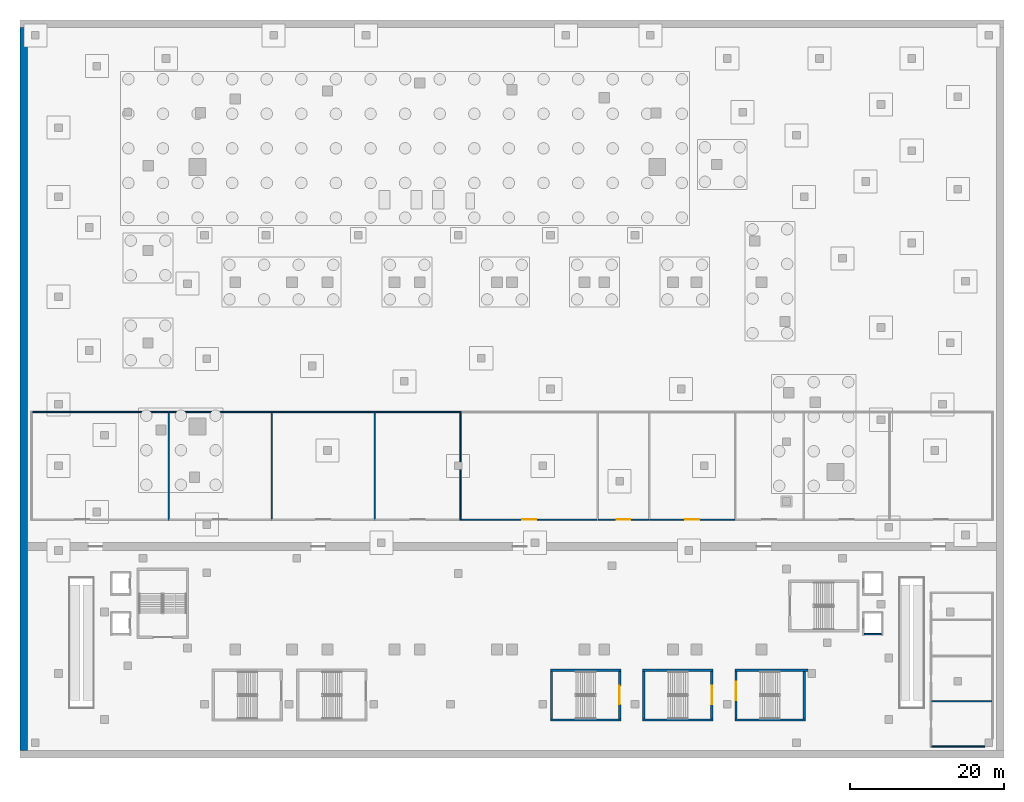
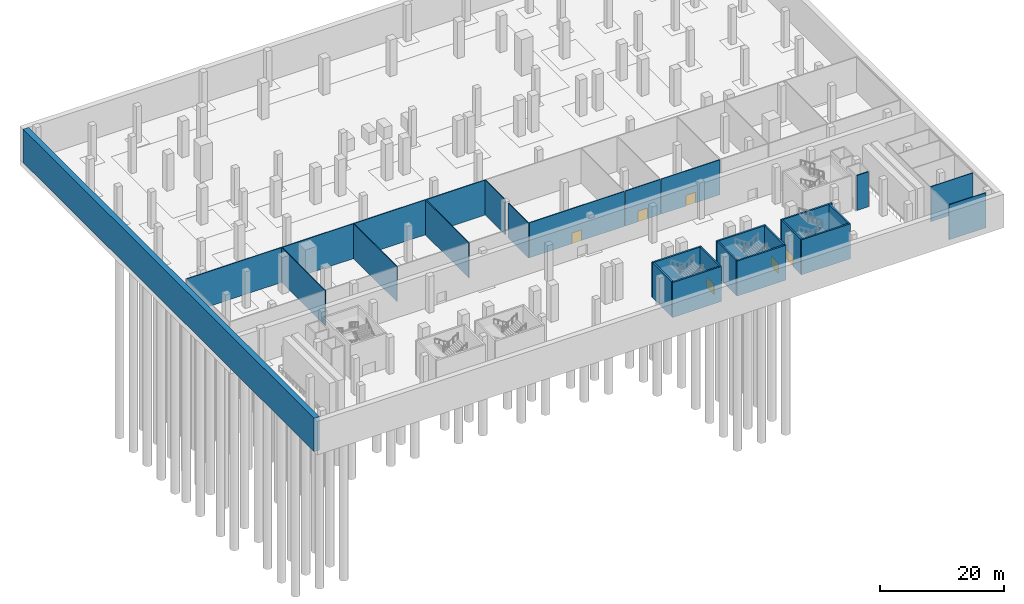
# One storey, part 6 of 15: 28 walls, 6 doors, 6 openings.
"""IFC4 building model written with IfcOpenShell, lengths in metres."""

from ifc_helpers import new_model, si_unit, direction, frame, frame_2d, origin, place, context, subcontext, project, spatial, rectangle, extrude, material, layer, layer_set, type_object, element, fill, save


model = new_model("IFC4")

# Units and contexts
model_context = context("Model", 3, precision=1e-05, world=origin(), true_north=direction((0.0, 1.0)))
body_context = subcontext(model_context, "Body", "Model", "MODEL_VIEW")
ifc_project = project(units=[si_unit("LENGTHUNIT", "METRE"), si_unit("AREAUNIT", "SQUARE_METRE"), si_unit("VOLUMEUNIT", "CUBIC_METRE"), si_unit("PLANEANGLEUNIT", "RADIAN"), si_unit("MASSUNIT", "GRAM", prefix="KILO")], contexts=[model_context])

# Site, building, storey
site_placement = place(None, origin())
site = spatial("IfcSite", under=ifc_project, at=site_placement, CompositionType="ELEMENT")
building_placement = place(site_placement, origin())
building = spatial("IfcBuilding", under=site, at=building_placement, Name="Wharfspan Tower", CompositionType="ELEMENT")
storey_placement = place(building_placement, frame((0.0, 0.0, -7.199951)))
storey = spatial("IfcBuildingStorey", under=building, at=storey_placement, Name="B1", CompositionType="ELEMENT", Elevation=-7.199951)

# Wall
ifc_material_1 = material(Name="Concrete C35/45", Category="concrete")
ifc_layer_1 = layer(ifc_material_1, 1.0)
ifc_layer_set_1 = layer_set([ifc_layer_1], Name="Concrete C35/45")
wall_type_1 = type_object("IfcWallType", Name="Diaphragm wall 1000", PredefinedType="SOLIDWALL", material=ifc_layer_set_1)
wall_1_placement = place(storey_placement, frame((-15.5, -35.0, 0.0), z_axis=(0.0, 0.0, 1.0), x_axis=(0.0, 1.0, 0.0)))
element("IfcWall", 1, at=wall_1_placement, inside=storey, type_object=wall_type_1, Name="Diaphragm wall", PredefinedType="SOLIDWALL", context=body_context, shape_type="SweptSolid", body=[
    extrude(rectangle(XDim=94.0, YDim=1.0, at=frame_2d((47.0, 0.0))), origin(), (0.0, 0.0, 1.0), 6.599854),
])

# Wall, opening, door
ifc_material_2 = material(Name="Calcium silicate masonry", Category="masonry")
ifc_layer_2 = layer(ifc_material_2, 0.149902)
ifc_layer_set_2 = layer_set([ifc_layer_2], Name="Calcium silicate masonry")
wall_type_2 = type_object("IfcWallType", Name="Podium room wall 150", PredefinedType="PARTITIONING", material=ifc_layer_set_2)
wall_2_placement = place(storey_placement, frame((41.378906, -5.0, 0.0), z_axis=(0.0, 0.0, 1.0), x_axis=(1.0, 0.0, 0.0)))
wall_2 = element("IfcWall", 2, at=wall_2_placement, inside=storey, type_object=wall_type_2, Name="iw:B1:5", PredefinedType="PARTITIONING", context=body_context, shape_type="SweptSolid", body=[
    extrude(rectangle(XDim=17.707031, YDim=0.149902, at=frame_2d((8.853516, 0.0))), origin(), (0.0, 0.0, 1.0), 6.899902),
])
opening_1_placement = place(wall_2_placement, frame((7.953125, 0.0, 0.0)))
opening_1 = element("IfcOpeningElement", 3, at=opening_1_placement, cuts=wall_2, Name="Opening PD1.5", PredefinedType="OPENING", context=body_context, shape_type="SweptSolid", body=[
    extrude(rectangle(XDim=1.800049, YDim=2.100098, at=frame_2d((0.899902, 1.050049))), frame((0.0, 0.084961, 0.0), z_axis=(0.0, -1.0, 0.0), x_axis=(1.0, 0.0, 0.0)), (0.0, 0.0, 1.0), 0.169922),
])
ifc_material_3 = material(Name="Steel door leaf", Category="steel")
door_type_1 = type_object("IfcDoorType", Name="Podium double door 1800x2100", OperationType="DOUBLE_DOOR_SINGLE_SWING", PredefinedType="DOOR", material=ifc_material_3)
door_1_placement = place(opening_1_placement, origin())
door_1 = element("IfcDoor", 4, at=door_1_placement, inside=storey, type_object=door_type_1, Name="id:B1:5", OperationType="DOUBLE_DOOR_SINGLE_SWING", OverallHeight=2.100098, OverallWidth=1.800049, PredefinedType="DOOR", context=body_context, shape_type="SweptSolid", body=[
    extrude(rectangle(XDim=1.800049, YDim=2.100098, at=frame_2d((0.899902, 1.050049))), frame((0.0, 0.024902, 0.0), z_axis=(0.0, -1.0, 0.0), x_axis=(1.0, 0.0, 0.0)), (0.0, 0.0, 1.0), 0.050049),
])
fill(opening_1, door_1)

wall_3_placement = place(storey_placement, frame((59.236084, -5.0, 0.0), z_axis=(0.0, 0.0, 1.0), x_axis=(1.0, 0.0, 0.0)))
wall_3 = element("IfcWall", 5, at=wall_3_placement, inside=storey, type_object=wall_type_2, Name="iw:B1:6", PredefinedType="PARTITIONING", context=body_context, shape_type="SweptSolid", body=[
    extrude(rectangle(XDim=6.545898, YDim=0.149902, at=frame_2d((3.272949, 0.0))), origin(), (0.0, 0.0, 1.0), 6.899902),
])
opening_2_placement = place(wall_3_placement, frame((2.372803, 0.0, 0.0)))
opening_2 = element("IfcOpeningElement", 6, at=opening_2_placement, cuts=wall_3, Name="Opening PD1.6", PredefinedType="OPENING", context=body_context, shape_type="SweptSolid", body=[
    extrude(rectangle(XDim=1.800049, YDim=2.100098, at=frame_2d((0.899902, 1.050049))), frame((0.0, 0.084961, 0.0), z_axis=(0.0, -1.0, 0.0), x_axis=(1.0, 0.0, 0.0)), (0.0, 0.0, 1.0), 0.169922),
])
door_2_placement = place(opening_2_placement, origin())
door_2 = element("IfcDoor", 7, at=door_2_placement, inside=storey, type_object=door_type_1, Name="id:B1:6", OperationType="DOUBLE_DOOR_SINGLE_SWING", OverallHeight=2.100098, OverallWidth=1.800049, PredefinedType="DOOR", context=body_context, shape_type="SweptSolid", body=[
    extrude(rectangle(XDim=1.800049, YDim=2.100098, at=frame_2d((0.899902, 1.050049))), frame((0.0, 0.024902, 0.0), z_axis=(0.0, -1.0, 0.0), x_axis=(1.0, 0.0, 0.0)), (0.0, 0.0, 1.0), 0.050049),
])
fill(opening_2, door_2)

wall_4_placement = place(storey_placement, frame((65.931885, -5.0, 0.0), z_axis=(0.0, 0.0, 1.0), x_axis=(1.0, 0.0, 0.0)))
wall_4 = element("IfcWall", 8, at=wall_4_placement, inside=storey, type_object=wall_type_2, Name="iw:B1:7", PredefinedType="PARTITIONING", context=body_context, shape_type="SweptSolid", body=[
    extrude(rectangle(XDim=11.01123, YDim=0.149902, at=frame_2d((5.505615, 0.0))), origin(), (0.0, 0.0, 1.0), 6.899902),
])
opening_3_placement = place(wall_4_placement, frame((4.605469, 0.0, 0.0)))
opening_3 = element("IfcOpeningElement", 9, at=opening_3_placement, cuts=wall_4, Name="Opening PD1.7", PredefinedType="OPENING", context=body_context, shape_type="SweptSolid", body=[
    extrude(rectangle(XDim=1.800049, YDim=2.100098, at=frame_2d((0.899902, 1.050049))), frame((0.0, 0.084961, 0.0), z_axis=(0.0, -1.0, 0.0), x_axis=(1.0, 0.0, 0.0)), (0.0, 0.0, 1.0), 0.169922),
])
door_3_placement = place(opening_3_placement, origin())
door_3 = element("IfcDoor", 10, at=door_3_placement, inside=storey, type_object=door_type_1, Name="id:B1:7", OperationType="DOUBLE_DOOR_SINGLE_SWING", OverallHeight=2.100098, OverallWidth=1.800049, PredefinedType="DOOR", context=body_context, shape_type="SweptSolid", body=[
    extrude(rectangle(XDim=1.800049, YDim=2.100098, at=frame_2d((0.899902, 1.050049))), frame((0.0, 0.024902, 0.0), z_axis=(0.0, -1.0, 0.0), x_axis=(1.0, 0.0, 0.0)), (0.0, 0.0, 1.0), 0.050049),
])
fill(opening_3, door_3)

# Walls
wall_5_placement = place(storey_placement, frame((3.356934, -5.074951, 0.0), z_axis=(0.0, 0.0, 1.0), x_axis=(0.0, 1.0, 0.0)))
element("IfcWall", 11, at=wall_5_placement, inside=storey, type_object=wall_type_2, Name="iw:B1:11", PredefinedType="PARTITIONING", context=body_context, shape_type="SweptSolid", body=[
    extrude(rectangle(XDim=14.149902, YDim=0.149902, at=frame_2d((7.074951, 0.0))), origin(), (0.0, 0.0, 1.0), 6.899902),
])
wall_6_placement = place(storey_placement, frame((-14.425049, 9.0, 0.0), z_axis=(0.0, 0.0, 1.0), x_axis=(1.0, 0.0, 0.0)))
element("IfcWall", 12, at=wall_6_placement, inside=storey, type_object=wall_type_2, Name="iw:B1:12", PredefinedType="PARTITIONING", context=body_context, shape_type="SweptSolid", body=[
    extrude(rectangle(XDim=17.707031, YDim=0.149902, at=frame_2d((8.853516, 0.0))), origin(), (0.0, 0.0, 1.0), 6.899902),
])
for number, where, z_axis, x_axis, name in (
    (13, (3.431885, 9.0, 0.0), (0.0, 0.0, 1.0), (1.0, 0.0, 0.0), "iw:B1:13"),
    (14, (16.824951, 9.0, 0.0), (0.0, 0.0, 1.0), (1.0, 0.0, 0.0), "iw:B1:14"),
):
    element("IfcWall", number, at=place(storey_placement, frame(where, z_axis=z_axis, x_axis=x_axis)), inside=storey, type_object=wall_type_2, Name=name, PredefinedType="PARTITIONING", context=body_context, shape_type="SweptSolid", body=[
        extrude(rectangle(XDim=13.243164, YDim=0.149902, at=frame_2d((6.621582, 0.0))), origin(), (0.0, 0.0, 1.0), 6.899902),
    ])
wall_7_placement = place(storey_placement, frame((30.218018, 9.0, 0.0), z_axis=(0.0, 0.0, 1.0), x_axis=(1.0, 0.0, 0.0)))
element("IfcWall", 15, at=wall_7_placement, inside=storey, type_object=wall_type_2, Name="iw:B1:15", PredefinedType="PARTITIONING", context=body_context, shape_type="SweptSolid", body=[
    extrude(rectangle(XDim=11.010986, YDim=0.149902, at=frame_2d((5.505371, 0.0))), origin(), (0.0, 0.0, 1.0), 6.899902),
])
for number, where, z_axis, x_axis, name in (
    (16, (16.75, -5.074951, 0.0), (0.0, 0.0, 1.0), (0.0, 1.0, 0.0), "iw:B1:23"),
    (17, (30.143066, -5.074951, 0.0), (0.0, 0.0, 1.0), (0.0, 1.0, 0.0), "iw:B1:24"),
):
    element("IfcWall", number, at=place(storey_placement, frame(where, z_axis=z_axis, x_axis=x_axis)), inside=storey, type_object=wall_type_2, Name=name, PredefinedType="PARTITIONING", context=body_context, shape_type="SweptSolid", body=[
        extrude(rectangle(XDim=14.149902, YDim=0.149902, at=frame_2d((7.074951, 0.0))), origin(), (0.0, 0.0, 1.0), 6.899902),
    ])
for number, where, z_axis, x_axis, name in (
    (18, (41.303955, -5.074951, 0.0), (0.0, 0.0, 1.0), (0.0, 1.0, 0.0), "iw:B1:25"),
    (19, (41.303955, 2.51001, 0.0), (0.0, 0.0, 1.0), (0.0, 1.0, 0.0), "iw:B1:26"),
):
    element("IfcWall", number, at=place(storey_placement, frame(where, z_axis=z_axis, x_axis=x_axis)), inside=storey, type_object=wall_type_2, Name=name, PredefinedType="PARTITIONING", context=body_context, shape_type="SweptSolid", body=[
        extrude(rectangle(XDim=6.564941, YDim=0.149902, at=frame_2d((3.282471, 0.0))), origin(), (0.0, 0.0, 1.0), 6.899902),
    ])
wall_8_placement = place(storey_placement, frame((102.574951, -34.5, 0.0), z_axis=(0.0, 0.0, 1.0), x_axis=(1.0, 0.0, 0.0)))
element("IfcWall", 20, at=wall_8_placement, inside=storey, type_object=wall_type_2, Name="iw:B1:34", PredefinedType="PARTITIONING", context=body_context, shape_type="SweptSolid", body=[
    extrude(rectangle(XDim=6.915039, YDim=0.149902, at=frame_2d((3.45752, 0.0))), origin(), (0.0, 0.0, 1.0), 6.899902),
])
wall_9_placement = place(storey_placement, frame((102.574951, -28.61792, 0.0), z_axis=(0.0, 0.0, 1.0), x_axis=(1.0, 0.0, 0.0)))
element("IfcWall", 21, at=wall_9_placement, inside=storey, type_object=wall_type_2, Name="iw:B1:35", PredefinedType="PARTITIONING", context=body_context, shape_type="SweptSolid", body=[
    extrude(rectangle(XDim=7.850098, YDim=0.149902, at=frame_2d((3.925049, 0.0))), origin(), (0.0, 0.0, 1.0), 6.899902),
])
ifc_material_4 = material(Name="Concrete C30/37", Category="concrete")
ifc_layer_3 = layer(ifc_material_4, 0.199951)
ifc_layer_set_3 = layer_set([ifc_layer_3], Name="Concrete C30/37")
wall_type_3 = type_object("IfcWallType", Name="Podium shaft wall 200", PredefinedType="PARTITIONING", material=ifc_layer_set_3)
wall_10_placement = place(storey_placement, frame((93.800049, -19.899902, 0.0), z_axis=(0.0, 0.0, 1.0), x_axis=(1.0, 0.0, 0.0)))
element("IfcWall", 22, at=wall_10_placement, inside=storey, type_object=wall_type_3, Name="pl:LP2:B1:S", PredefinedType="PARTITIONING", context=body_context, shape_type="SweptSolid", body=[
    extrude(rectangle(XDim=2.199951, YDim=0.199951, at=frame_2d((1.100098, 0.0))), origin(), (0.0, 0.0, 1.0), 6.899902),
])
ifc_material_5 = material(Name="Concrete C40/50", Category="concrete")
ifc_layer_4 = layer(ifc_material_5, 0.300049)
ifc_layer_set_4 = layer_set([ifc_layer_4], Name="Concrete C40/50")
wall_type_4 = type_object("IfcWallType", Name="Podium stair core wall 300", PredefinedType="SHEAR", material=ifc_layer_set_4)
for number, where, z_axis, x_axis, name in (
    (23, (53.0, -31.050049, 0.0), (0.0, 0.0, 1.0), (1.0, 0.0, 0.0), "iw:B1:SB3S"),
    (24, (53.0, -24.600098, 0.0), (0.0, 0.0, 1.0), (1.0, 0.0, 0.0), "iw:B1:SB3N"),
):
    element("IfcWall", number, at=place(storey_placement, frame(where, z_axis=z_axis, x_axis=x_axis)), inside=storey, type_object=wall_type_4, Name=name, PredefinedType="SHEAR", context=body_context, shape_type="SweptSolid", body=[
        extrude(rectangle(XDim=9.149902, YDim=0.300049, at=frame_2d((4.574951, 0.0))), origin(), (0.0, 0.0, 1.0), 6.899902),
    ])
wall_11_placement = place(storey_placement, frame((53.149902, -30.899902, 0.0), z_axis=(0.0, 0.0, 1.0), x_axis=(0.0, 1.0, 0.0)))
element("IfcWall", 25, at=wall_11_placement, inside=storey, type_object=wall_type_4, Name="iw:B1:SB3W", PredefinedType="SHEAR", context=body_context, shape_type="SweptSolid", body=[
    extrude(rectangle(XDim=6.149902, YDim=0.300049, at=frame_2d((3.074951, 0.0))), origin(), (0.0, 0.0, 1.0), 6.899902),
])

# Wall, opening, door
wall_12_placement = place(storey_placement, frame((62.0, -30.899902, 0.0), z_axis=(0.0, 0.0, 1.0), x_axis=(0.0, 1.0, 0.0)))
wall_12 = element("IfcWall", 26, at=wall_12_placement, inside=storey, type_object=wall_type_4, Name="iw:B1:SB3E", PredefinedType="SHEAR", context=body_context, shape_type="SweptSolid", body=[
    extrude(rectangle(XDim=6.149902, YDim=0.300049, at=frame_2d((3.074951, 0.0))), origin(), (0.0, 0.0, 1.0), 6.899902),
])
opening_4_placement = place(wall_12_placement, frame((1.875, 0.0, 0.0)))
opening_4 = element("IfcOpeningElement", 27, at=opening_4_placement, cuts=wall_12, Name="Opening SDSB3.B1", PredefinedType="OPENING", context=body_context, shape_type="SweptSolid", body=[
    extrude(rectangle(XDim=2.399902, YDim=2.100098, at=frame_2d((1.199951, 1.050049))), frame((0.0, 0.159912, 0.0), z_axis=(0.0, -1.0, 0.0), x_axis=(1.0, 0.0, 0.0)), (0.0, 0.0, 1.0), 0.320068),
])
door_type_2 = type_object("IfcDoorType", Name="Podium stair door 2400x2100", OperationType="DOUBLE_DOOR_SINGLE_SWING", PredefinedType="DOOR", material=ifc_material_3)
door_4_placement = place(opening_4_placement, origin())
door_4 = element("IfcDoor", 28, at=door_4_placement, inside=storey, type_object=door_type_2, Name="id:B1:SB3", OperationType="DOUBLE_DOOR_SINGLE_SWING", OverallHeight=2.100098, OverallWidth=2.399902, PredefinedType="DOOR", context=body_context, shape_type="SweptSolid", body=[
    extrude(rectangle(XDim=2.399902, YDim=2.100098, at=frame_2d((1.199951, 1.050049))), frame((0.0, 0.024902, 0.0), z_axis=(0.0, -1.0, 0.0), x_axis=(1.0, 0.0, 0.0)), (0.0, 0.0, 1.0), 0.050049),
])
fill(opening_4, door_4)

# Walls
for number, where, z_axis, x_axis, name in (
    (29, (65.0, -31.050049, 0.0), (0.0, 0.0, 1.0), (1.0, 0.0, 0.0), "iw:B1:SB4S"),
    (30, (65.0, -24.600098, 0.0), (0.0, 0.0, 1.0), (1.0, 0.0, 0.0), "iw:B1:SB4N"),
):
    element("IfcWall", number, at=place(storey_placement, frame(where, z_axis=z_axis, x_axis=x_axis)), inside=storey, type_object=wall_type_4, Name=name, PredefinedType="SHEAR", context=body_context, shape_type="SweptSolid", body=[
        extrude(rectangle(XDim=9.149902, YDim=0.300049, at=frame_2d((4.574951, 0.0))), origin(), (0.0, 0.0, 1.0), 6.899902),
    ])
wall_13_placement = place(storey_placement, frame((65.149902, -30.899902, 0.0), z_axis=(0.0, 0.0, 1.0), x_axis=(0.0, 1.0, 0.0)))
element("IfcWall", 31, at=wall_13_placement, inside=storey, type_object=wall_type_4, Name="iw:B1:SB4W", PredefinedType="SHEAR", context=body_context, shape_type="SweptSolid", body=[
    extrude(rectangle(XDim=6.149902, YDim=0.300049, at=frame_2d((3.074951, 0.0))), origin(), (0.0, 0.0, 1.0), 6.899902),
])

# Wall, opening, door
wall_14_placement = place(storey_placement, frame((74.0, -30.899902, 0.0), z_axis=(0.0, 0.0, 1.0), x_axis=(0.0, 1.0, 0.0)))
wall_14 = element("IfcWall", 32, at=wall_14_placement, inside=storey, type_object=wall_type_4, Name="iw:B1:SB4E", PredefinedType="SHEAR", context=body_context, shape_type="SweptSolid", body=[
    extrude(rectangle(XDim=6.149902, YDim=0.300049, at=frame_2d((3.074951, 0.0))), origin(), (0.0, 0.0, 1.0), 6.899902),
])
opening_5_placement = place(wall_14_placement, frame((1.875, 0.0, 0.0)))
opening_5 = element("IfcOpeningElement", 33, at=opening_5_placement, cuts=wall_14, Name="Opening SDSB4.B1", PredefinedType="OPENING", context=body_context, shape_type="SweptSolid", body=[
    extrude(rectangle(XDim=2.399902, YDim=2.100098, at=frame_2d((1.199951, 1.050049))), frame((0.0, 0.159912, 0.0), z_axis=(0.0, -1.0, 0.0), x_axis=(1.0, 0.0, 0.0)), (0.0, 0.0, 1.0), 0.320068),
])
door_5_placement = place(opening_5_placement, origin())
door_5 = element("IfcDoor", 34, at=door_5_placement, inside=storey, type_object=door_type_2, Name="id:B1:SB4", OperationType="DOUBLE_DOOR_SINGLE_SWING", OverallHeight=2.100098, OverallWidth=2.399902, PredefinedType="DOOR", context=body_context, shape_type="SweptSolid", body=[
    extrude(rectangle(XDim=2.399902, YDim=2.100098, at=frame_2d((1.199951, 1.050049))), frame((0.0, 0.024902, 0.0), z_axis=(0.0, -1.0, 0.0), x_axis=(1.0, 0.0, 0.0)), (0.0, 0.0, 1.0), 0.050049),
])
fill(opening_5, door_5)

# Walls
wall_15_placement = place(storey_placement, frame((77.0, -31.050049, 0.0), z_axis=(0.0, 0.0, 1.0), x_axis=(1.0, 0.0, 0.0)))
element("IfcWall", 35, at=wall_15_placement, inside=storey, type_object=wall_type_4, Name="iw:B1:SB5S", PredefinedType="SHEAR", context=body_context, shape_type="SweptSolid", body=[
    extrude(rectangle(XDim=9.149902, YDim=0.300049, at=frame_2d((4.574951, 0.0))), origin(), (0.0, 0.0, 1.0), 6.899902),
])
wall_16_placement = place(storey_placement, frame((77.0, -24.600098, 0.0), z_axis=(0.0, 0.0, 1.0), x_axis=(1.0, 0.0, 0.0)))
element("IfcWall", 36, at=wall_16_placement, inside=storey, type_object=wall_type_4, Name="iw:B1:SB5N", PredefinedType="SHEAR", context=body_context, shape_type="SweptSolid", body=[
    extrude(rectangle(XDim=9.5, YDim=0.300049, at=frame_2d((4.75, 0.0))), origin(), (0.0, 0.0, 1.0), 6.899902),
])

# Wall, opening, door
wall_17_placement = place(storey_placement, frame((77.149902, -30.899902, 0.0), z_axis=(0.0, 0.0, 1.0), x_axis=(0.0, 1.0, 0.0)))
wall_17 = element("IfcWall", 37, at=wall_17_placement, inside=storey, type_object=wall_type_4, Name="iw:B1:SB5W", PredefinedType="SHEAR", context=body_context, shape_type="SweptSolid", body=[
    extrude(rectangle(XDim=6.149902, YDim=0.300049, at=frame_2d((3.074951, 0.0))), origin(), (0.0, 0.0, 1.0), 6.899902),
])
opening_6_placement = place(wall_17_placement, frame((2.399902, 0.0, 0.0)))
opening_6 = element("IfcOpeningElement", 38, at=opening_6_placement, cuts=wall_17, Name="Opening SDSB5.B1", PredefinedType="OPENING", context=body_context, shape_type="SweptSolid", body=[
    extrude(rectangle(XDim=2.399902, YDim=2.100098, at=frame_2d((1.199951, 1.050049))), frame((0.0, 0.159912, 0.0), z_axis=(0.0, -1.0, 0.0), x_axis=(1.0, 0.0, 0.0)), (0.0, 0.0, 1.0), 0.320068),
])
door_6_placement = place(opening_6_placement, origin())
door_6 = element("IfcDoor", 39, at=door_6_placement, inside=storey, type_object=door_type_2, Name="id:B1:SB5", OperationType="DOUBLE_DOOR_SINGLE_SWING", OverallHeight=2.100098, OverallWidth=2.399902, PredefinedType="DOOR", context=body_context, shape_type="SweptSolid", body=[
    extrude(rectangle(XDim=2.399902, YDim=2.100098, at=frame_2d((1.199951, 1.050049))), frame((0.0, 0.024902, 0.0), z_axis=(0.0, -1.0, 0.0), x_axis=(1.0, 0.0, 0.0)), (0.0, 0.0, 1.0), 0.050049),
])
fill(opening_6, door_6)

# Wall
wall_18_placement = place(storey_placement, frame((86.0, -30.899902, 0.0), z_axis=(0.0, 0.0, 1.0), x_axis=(0.0, 1.0, 0.0)))
element("IfcWall", 40, at=wall_18_placement, inside=storey, type_object=wall_type_4, Name="iw:B1:SB5E", PredefinedType="SHEAR", context=body_context, shape_type="SweptSolid", body=[
    extrude(rectangle(XDim=6.149902, YDim=0.300049, at=frame_2d((3.074951, 0.0))), origin(), (0.0, 0.0, 1.0), 6.899902),
])

save(model, "model.ifc")
